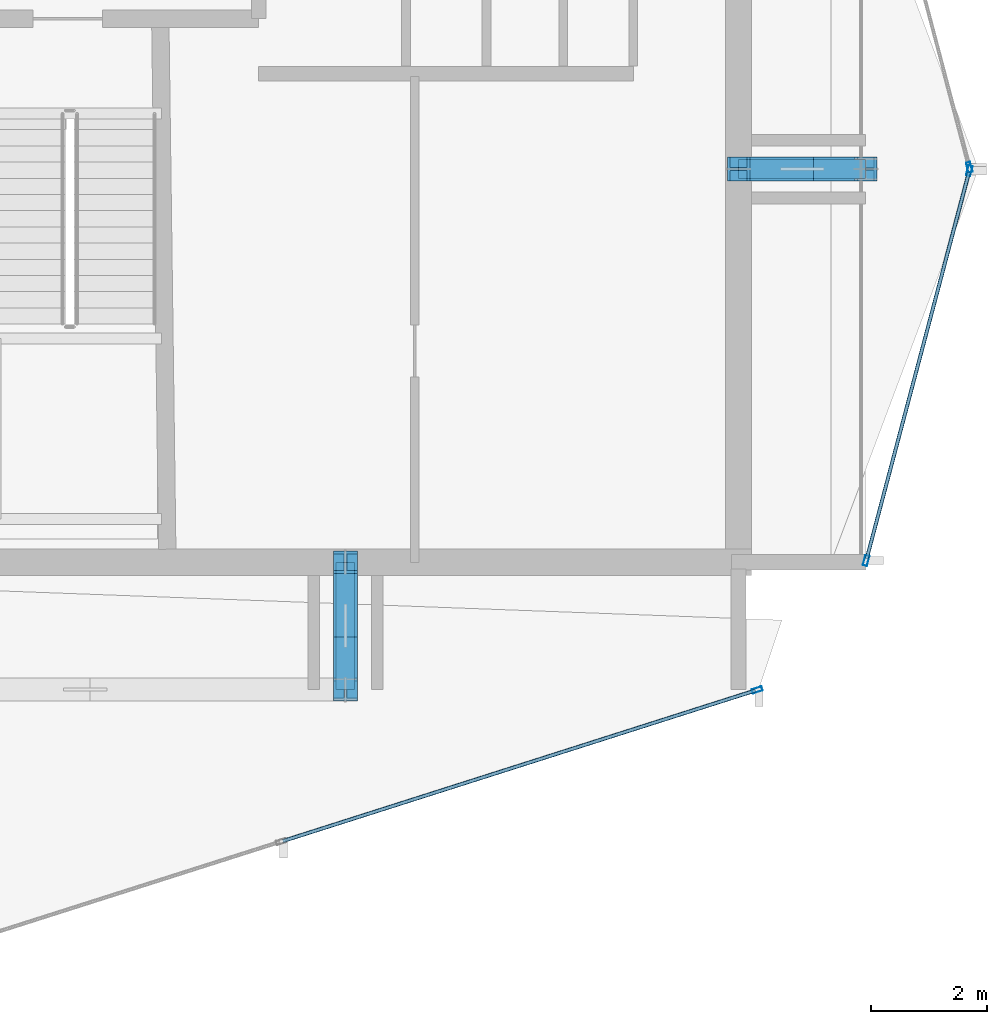
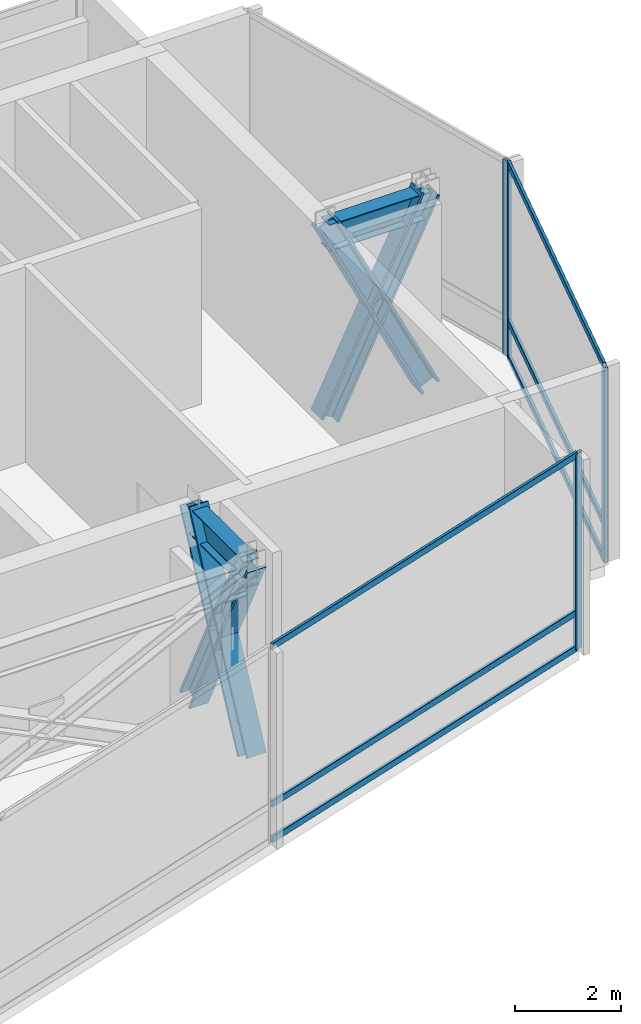
# One storey, part 11 of 23: 16 members, 2 beams, 3 elements without a shape of their own.
"""IFC4 building model written with IfcOpenShell, lengths in metres."""

from ifc_helpers import new_model, si_unit, direction, frame, origin, origin_2d, place, context, subcontext, project, spatial, hollow_rectangle, i_section, extrude, material, layer, layer_set, material_profile, profile_set, type_object, element, aggregate, save


model = new_model("IFC4")

# Units and contexts
model_context = context("Model", 3, precision=1e-05, world=origin(), true_north=direction((0.0, 1.0)))
body_context = subcontext(model_context, "Body", "Model", "MODEL_VIEW")
ifc_project = project(units=[si_unit("LENGTHUNIT", "METRE"), si_unit("AREAUNIT", "SQUARE_METRE"), si_unit("VOLUMEUNIT", "CUBIC_METRE"), si_unit("PLANEANGLEUNIT", "RADIAN"), si_unit("MASSUNIT", "GRAM", prefix="KILO")], contexts=[model_context])

# Site, building, storey
site_placement = place(None, origin())
site = spatial("IfcSite", under=ifc_project, at=site_placement, CompositionType="ELEMENT")
building_placement = place(site_placement, origin())
building = spatial("IfcBuilding", under=site, at=building_placement, Name="Solvaryn Broadcast Tower", CompositionType="ELEMENT")
storey_placement = place(building_placement, frame((0.0, 0.0, 285.199951171875)))
storey = spatial("IfcBuildingStorey", under=building, at=storey_placement, Name="L72", CompositionType="ELEMENT", Elevation=285.199951171875)

# Beams
ifc_material_1 = material(Name="Steel ASTM A992 Grade 50", Category="steel")
ifc_material_profile_1 = material_profile(ifc_material_1, i_section(OverallWidth=0.323974609375, OverallDepth=0.611083984375, WebThickness=0.0126953125, FlangeThickness=0.01904296875, FilletRadius=0.014892578125, at=origin_2d()))
ifc_profile_set_1 = profile_set([ifc_material_profile_1], Name="Steel ASTM A992 Grade 50")
beam_type = type_object("IfcBeamType", Name="BM-B1-W24X104", PredefinedType="BEAM", material=ifc_profile_set_1)
for number, where, z_axis, x_axis, name in (
    (1, (36.0, 9.0, 4.214599609375), (0.0, 1.0, 0.0), (-1.0, 0.0, 0.0), "L72 Core Tie Beam CTE1"),
    (2, (42.800048828125, 18.0, 4.214599609375), (1.0, 0.0, 0.0), (0.0, 1.0, 0.0), "L72 Core Tie Beam CTE3"),
):
    element("IfcBeam", number, at=place(storey_placement, frame(where, z_axis=z_axis, x_axis=x_axis)), inside=storey, type_object=beam_type, Name=name, PredefinedType="BEAM", context=body_context, shape_type="SweptSolid", body=[
        extrude(i_section(OverallWidth=0.323974609375, OverallDepth=0.611083984375, WebThickness=0.0126953125, FlangeThickness=0.01904296875, FilletRadius=0.014892578125, at=origin_2d()), origin(), (0.0, 0.0, 1.0), 2.199951171875),
    ])

# Curtain wall, member
ifc_material_2 = material(Name="Aluminium and Terracotta Unitised Curtain Wall", Category="masonry")
ifc_layer = layer(ifc_material_2, 0.199951171875)
ifc_layer_set = layer_set([ifc_layer], Name="CW-SYS2-LOWMID")
curtain_wall_type = type_object("IfcCurtainWallType", Name="CW-SYS2-LOWMID", PredefinedType="NOTDEFINED", material=ifc_layer_set)
curtain_wall_1_placement = place(storey_placement, origin())
curtain_wall_1 = element("IfcCurtainWall", 3, at=curtain_wall_1_placement, inside=storey, type_object=curtain_wall_type, Name="L72 Curtain Wall DR4", PredefinedType="NOTDEFINED")
ifc_material_3 = material(Name="Anodised Aluminium 6063-T6", Category="aluminium")
ifc_material_profile_2 = material_profile(ifc_material_3, hollow_rectangle(XDim=0.074951171875, YDim=0.179931640625, WallThickness=0.00390625, InnerFilletRadius=0.00390625, OuterFilletRadius=0.008056640625, at=origin_2d()))
ifc_profile_set_2 = profile_set([ifc_material_profile_2], Name="Anodised Aluminium 6063-T6")
member_type_1 = type_object("IfcMemberType", Name="CW-MUL-180", PredefinedType="MULLION", material=ifc_profile_set_2)
member_1_placement = place(storey_placement, frame((43.120361328125, 8.990966796875, 0.0), z_axis=(0.0, 0.0, 1.0), x_axis=(-0.30361564569, 0.952794594701, 0.0)))
member_1 = element("IfcMember", 4, at=member_1_placement, type_object=member_type_1, Name="CWS2 mullion 3", PredefinedType="MULLION", context=body_context, shape_type="SweptSolid", body=[
    extrude(hollow_rectangle(XDim=0.074951171875, YDim=0.179931640625, WallThickness=0.00390625, InnerFilletRadius=0.00390625, OuterFilletRadius=0.008056640625, at=origin_2d()), origin(), (0.0, 0.0, 1.0), 4.52001953125),
])

curtain_wall_2_placement = place(storey_placement, origin())
curtain_wall_2 = element("IfcCurtainWall", 5, at=curtain_wall_2_placement, inside=storey, type_object=curtain_wall_type, Name="L72 Curtain Wall ET1", PredefinedType="NOTDEFINED")
member_2_placement = place(storey_placement, frame((46.792236328125, 18.029052734375, 0.0), z_axis=(0.0, 0.0, 1.0), x_axis=(0.966705227863, 0.25589256031, 0.0)))
member_2 = element("IfcMember", 6, at=member_2_placement, type_object=member_type_1, Name="CWS2 mullion 2", PredefinedType="MULLION", context=body_context, shape_type="SweptSolid", body=[
    extrude(hollow_rectangle(XDim=0.074951171875, YDim=0.179931640625, WallThickness=0.00390625, InnerFilletRadius=0.00390625, OuterFilletRadius=0.008056640625, at=origin_2d()), origin(), (0.0, 0.0, 1.0), 4.52001953125),
])
aggregate(curtain_wall_2, [member_2])

# Curtain wall, members
curtain_wall_3_placement = place(storey_placement, origin())
curtain_wall_3 = element("IfcCurtainWall", 7, at=curtain_wall_3_placement, inside=storey, type_object=curtain_wall_type, Name="L72 Curtain Wall ET2", PredefinedType="NOTDEFINED")
member_3_placement = place(storey_placement, frame((46.792236328125, 17.970947265625, 0.0), z_axis=(0.0, 0.0, 1.0), x_axis=(0.966705227863, -0.25589256031, 0.0)))
member_3 = element("IfcMember", 8, at=member_3_placement, type_object=member_type_1, Name="CWS2 mullion 1", PredefinedType="MULLION", context=body_context, shape_type="SweptSolid", body=[
    extrude(hollow_rectangle(XDim=0.074951171875, YDim=0.179931640625, WallThickness=0.00390625, InnerFilletRadius=0.00390625, OuterFilletRadius=0.008056640625, at=origin_2d()), origin(), (0.0, 0.0, 1.0), 4.52001953125),
])
member_4_placement = place(storey_placement, frame((45.007568359375, 11.22900390625, 0.0), z_axis=(0.0, 0.0, 1.0), x_axis=(0.966705227863, -0.25589256031, 0.0)))
member_4 = element("IfcMember", 9, at=member_4_placement, type_object=member_type_1, Name="CWS2 mullion 2", PredefinedType="MULLION", context=body_context, shape_type="SweptSolid", body=[
    extrude(hollow_rectangle(XDim=0.074951171875, YDim=0.179931640625, WallThickness=0.00390625, InnerFilletRadius=0.00390625, OuterFilletRadius=0.008056640625, at=origin_2d()), origin(), (0.0, 0.0, 1.0), 4.52001953125),
])

# Member
ifc_material_4 = material(Name="Anodised Aluminium 6063-T6", Category="aluminium")
ifc_material_profile_3 = material_profile(ifc_material_4, hollow_rectangle(XDim=0.06494140625, YDim=0.14990234375, WallThickness=0.00390625, InnerFilletRadius=0.00390625, OuterFilletRadius=0.008056640625, at=origin_2d()))
ifc_profile_set_3 = profile_set([ifc_material_profile_3], Name="Anodised Aluminium 6063-T6")
member_type_2 = type_object("IfcMemberType", Name="CW-TRN-150", PredefinedType="USERDEFINED", material=ifc_profile_set_3)
member_5_placement = place(storey_placement, frame((34.921142578125, 6.378173828125, 0.030029296875), z_axis=(0.952798944691, 0.303601994388, 0.0), x_axis=(-0.303601994388, 0.952798944691, 0.0)))
member_5 = element("IfcMember", 10, at=member_5_placement, type_object=member_type_2, Name="CWS2 transom 2.1", ObjectType="TRANSOM", PredefinedType="USERDEFINED", context=body_context, shape_type="SweptSolid", body=[
    extrude(hollow_rectangle(XDim=0.06494140625, YDim=0.14990234375, WallThickness=0.00390625, InnerFilletRadius=0.00390625, OuterFilletRadius=0.008056640625, at=origin_2d()), origin(), (0.0, 0.0, 1.0), 8.575439453125),
])

member_6_placement = place(storey_placement, frame((34.921142578125, 6.378173828125, 0.85009765625), z_axis=(0.952798944691, 0.303601994388, 0.0), x_axis=(-0.303601994388, 0.952798944691, 0.0)))
member_6 = element("IfcMember", 11, at=member_6_placement, type_object=member_type_2, Name="CWS2 transom 2.2", ObjectType="TRANSOM", PredefinedType="USERDEFINED", context=body_context, shape_type="SweptSolid", body=[
    extrude(hollow_rectangle(XDim=0.06494140625, YDim=0.14990234375, WallThickness=0.00390625, InnerFilletRadius=0.00390625, OuterFilletRadius=0.008056640625, at=origin_2d()), origin(), (0.0, 0.0, 1.0), 8.575439453125),
])

member_7_placement = place(storey_placement, frame((34.921142578125, 6.378173828125, 4.489990234375), z_axis=(0.952798944691, 0.303601994388, 0.0), x_axis=(-0.303601994388, 0.952798944691, 0.0)))
member_7 = element("IfcMember", 12, at=member_7_placement, type_object=member_type_2, Name="CWS2 transom 2.3", ObjectType="TRANSOM", PredefinedType="USERDEFINED", context=body_context, shape_type="SweptSolid", body=[
    extrude(hollow_rectangle(XDim=0.06494140625, YDim=0.14990234375, WallThickness=0.00390625, InnerFilletRadius=0.00390625, OuterFilletRadius=0.008056640625, at=origin_2d()), origin(), (0.0, 0.0, 1.0), 8.575439453125),
])

aggregate(curtain_wall_1, [member_1, member_5, member_6, member_7])

member_8_placement = place(storey_placement, frame((46.78466796875, 17.94189453125, 0.030029296875), z_axis=(-0.255897413051, -0.966703943301, 0.0), x_axis=(0.966703943301, -0.255897413051, 0.0)))
member_8 = element("IfcMember", 13, at=member_8_placement, type_object=member_type_2, Name="CWS2 transom 1.1", ObjectType="TRANSOM", PredefinedType="USERDEFINED", context=body_context, shape_type="SweptSolid", body=[
    extrude(hollow_rectangle(XDim=0.06494140625, YDim=0.14990234375, WallThickness=0.00390625, InnerFilletRadius=0.00390625, OuterFilletRadius=0.008056640625, at=origin_2d()), origin(), (0.0, 0.0, 1.0), 6.9140625),
])

member_9_placement = place(storey_placement, frame((46.78466796875, 17.94189453125, 0.85009765625), z_axis=(-0.255897413051, -0.966703943301, 0.0), x_axis=(0.966703943301, -0.255897413051, 0.0)))
member_9 = element("IfcMember", 14, at=member_9_placement, type_object=member_type_2, Name="CWS2 transom 1.2", ObjectType="TRANSOM", PredefinedType="USERDEFINED", context=body_context, shape_type="SweptSolid", body=[
    extrude(hollow_rectangle(XDim=0.06494140625, YDim=0.14990234375, WallThickness=0.00390625, InnerFilletRadius=0.00390625, OuterFilletRadius=0.008056640625, at=origin_2d()), origin(), (0.0, 0.0, 1.0), 6.9140625),
])

member_10_placement = place(storey_placement, frame((46.78466796875, 17.94189453125, 4.489990234375), z_axis=(-0.255897413051, -0.966703943301, 0.0), x_axis=(0.966703943301, -0.255897413051, 0.0)))
member_10 = element("IfcMember", 15, at=member_10_placement, type_object=member_type_2, Name="CWS2 transom 1.3", ObjectType="TRANSOM", PredefinedType="USERDEFINED", context=body_context, shape_type="SweptSolid", body=[
    extrude(hollow_rectangle(XDim=0.06494140625, YDim=0.14990234375, WallThickness=0.00390625, InnerFilletRadius=0.00390625, OuterFilletRadius=0.008056640625, at=origin_2d()), origin(), (0.0, 0.0, 1.0), 6.9140625),
])

aggregate(curtain_wall_3, [member_3, member_4, member_8, member_9, member_10])

# Members
ifc_material_5 = material(Name="Steel ASTM A913 Grade 65", Category="steel")
ifc_material_profile_4 = material_profile(ifc_material_5, i_section(OverallWidth=0.412109375, OverallDepth=0.43505859375, WebThickness=0.035888671875, FlangeThickness=0.057373046875, FilletRadius=0.014892578125, at=origin_2d()))
ifc_profile_set_4 = profile_set([ifc_material_profile_4], Name="Steel ASTM A913 Grade 65")
member_type_3 = type_object("IfcMemberType", Name="MB-OUTRIGGER-2", PredefinedType="BRACE", material=ifc_profile_set_4)
member_11_placement = place(storey_placement, frame((36.0, 11.199951171875, 0.02001953125), z_axis=(0.0, -0.440784271702, 0.897613071328), x_axis=(1.0, 0.0, 0.0)))
element("IfcMember", 16, at=member_11_placement, inside=storey, type_object=member_type_3, Name="L72 Outrigger X-Brace S Continuous Diagonal", PredefinedType="BRACE", context=body_context, shape_type="SweptSolid", body=[
    extrude(i_section(OverallWidth=0.412109375, OverallDepth=0.43505859375, WebThickness=0.035888671875, FlangeThickness=0.057373046875, FilletRadius=0.014892578125, at=origin_2d()), origin(), (0.0, 0.0, 1.0), 4.990966796875),
])
member_12_placement = place(storey_placement, frame((36.0, 11.199951171875, 4.5), z_axis=(0.0, -0.440744858159, -0.897632424774), x_axis=(1.0, 0.0, 0.0)))
element("IfcMember", 17, at=member_12_placement, inside=storey, type_object=member_type_3, Name="L72 Outrigger X-Brace S Split Diagonal Lower", PredefinedType="BRACE", context=body_context, shape_type="SweptSolid", body=[
    extrude(i_section(OverallWidth=0.412109375, OverallDepth=0.43505859375, WebThickness=0.035888671875, FlangeThickness=0.057373046875, FilletRadius=0.014892578125, at=origin_2d()), origin(), (0.0, 0.0, 1.0), 2.495361328125),
])
member_13_placement = place(storey_placement, frame((36.0, 10.10009765625, 2.260009765625), z_axis=(0.0, -0.440823682697, -0.897593716987), x_axis=(1.0, 0.0, 0.0)))
element("IfcMember", 18, at=member_13_placement, inside=storey, type_object=member_type_3, Name="L72 Outrigger X-Brace S Split Diagonal Upper", PredefinedType="BRACE", context=body_context, shape_type="SweptSolid", body=[
    extrude(i_section(OverallWidth=0.412109375, OverallDepth=0.43505859375, WebThickness=0.035888671875, FlangeThickness=0.057373046875, FilletRadius=0.014892578125, at=origin_2d()), origin(), (0.0, 0.0, 1.0), 2.49560546875),
])
member_14_placement = place(storey_placement, frame((42.800048828125, 18.0, 0.02001953125), z_axis=(0.440784271702, 0.0, 0.897613071328), x_axis=(0.0, 1.0, 0.0)))
element("IfcMember", 19, at=member_14_placement, inside=storey, type_object=member_type_3, Name="L72 Outrigger X-Brace E Continuous Diagonal", PredefinedType="BRACE", context=body_context, shape_type="SweptSolid", body=[
    extrude(i_section(OverallWidth=0.412109375, OverallDepth=0.43505859375, WebThickness=0.035888671875, FlangeThickness=0.057373046875, FilletRadius=0.014892578125, at=origin_2d()), origin(), (0.0, 0.0, 1.0), 4.990966796875),
])
member_15_placement = place(storey_placement, frame((42.800048828125, 18.0, 4.5), z_axis=(0.440744858159, 0.0, -0.897632424774), x_axis=(0.0, 1.0, 0.0)))
element("IfcMember", 20, at=member_15_placement, inside=storey, type_object=member_type_3, Name="L72 Outrigger X-Brace E Split Diagonal Lower", PredefinedType="BRACE", context=body_context, shape_type="SweptSolid", body=[
    extrude(i_section(OverallWidth=0.412109375, OverallDepth=0.43505859375, WebThickness=0.035888671875, FlangeThickness=0.057373046875, FilletRadius=0.014892578125, at=origin_2d()), origin(), (0.0, 0.0, 1.0), 2.495361328125),
])
member_16_placement = place(storey_placement, frame((43.89990234375, 18.0, 2.260009765625), z_axis=(0.440823682697, 0.0, -0.897593716987), x_axis=(0.0, 1.0, 0.0)))
element("IfcMember", 21, at=member_16_placement, inside=storey, type_object=member_type_3, Name="L72 Outrigger X-Brace E Split Diagonal Upper", PredefinedType="BRACE", context=body_context, shape_type="SweptSolid", body=[
    extrude(i_section(OverallWidth=0.412109375, OverallDepth=0.43505859375, WebThickness=0.035888671875, FlangeThickness=0.057373046875, FilletRadius=0.014892578125, at=origin_2d()), origin(), (0.0, 0.0, 1.0), 2.49560546875),
])

save(model, "model.ifc")
